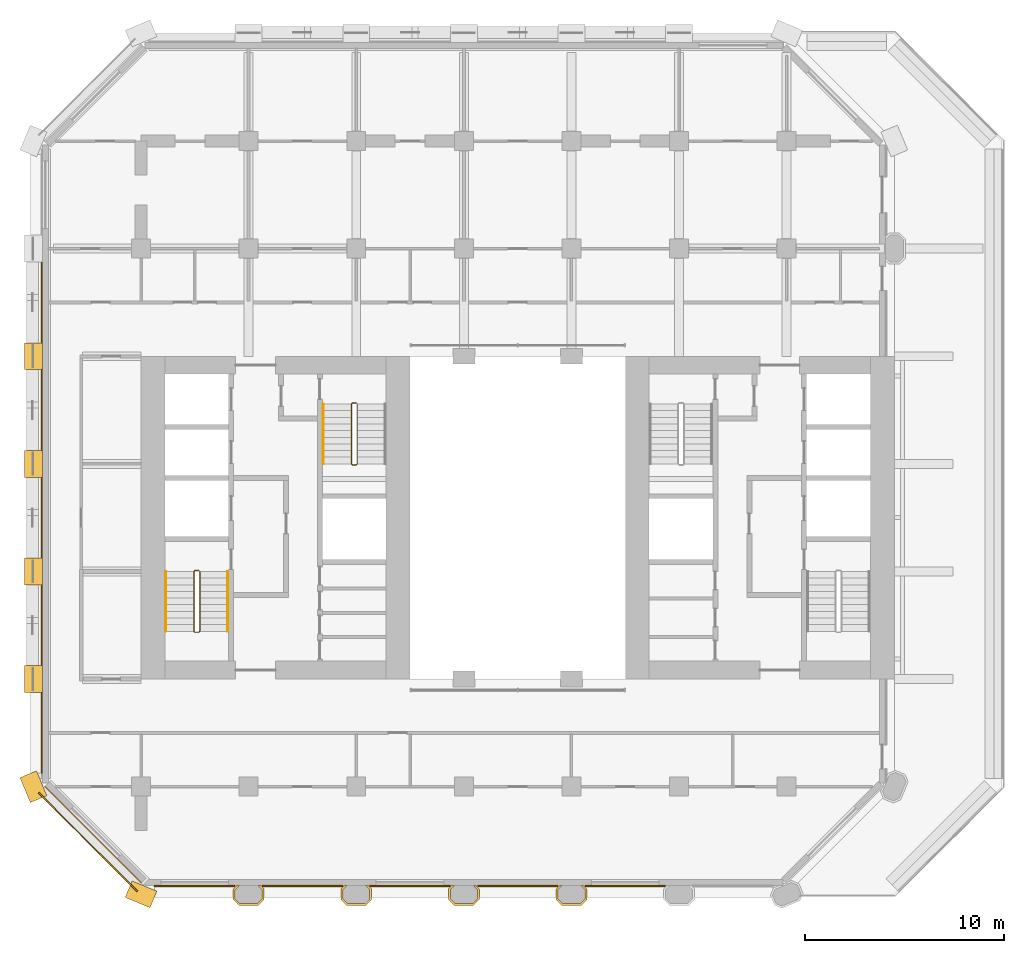
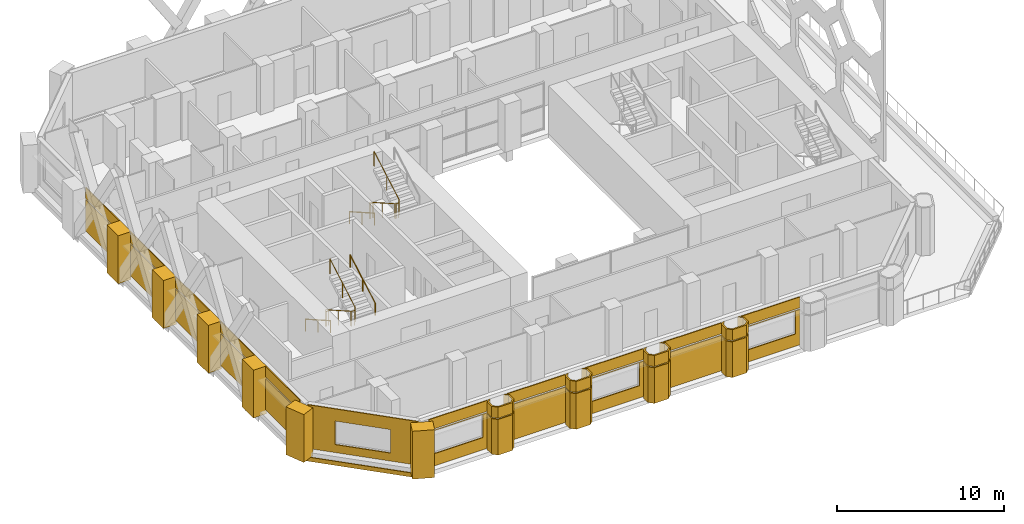
# One storey, part 12 of 14: 36 coverings, 5 railings.
"""IFC4 building model written with IfcOpenShell, lengths in metres."""

from ifc_helpers import new_model, si_unit, direction, frame, frame_2d, origin, origin_2d, place, context, subcontext, project, spatial, polyline, rectangle, circle, outline, extrude, material, layer, layer_set, type_object, element, save


model = new_model("IFC4")

# Units and contexts
model_context = context("Model", 3, precision=1e-05, world=origin(), true_north=direction((0.0, 1.0)))
body_context = subcontext(model_context, "Body", "Model", "MODEL_VIEW")
ifc_project = project(units=[si_unit("LENGTHUNIT", "METRE"), si_unit("AREAUNIT", "SQUARE_METRE"), si_unit("VOLUMEUNIT", "CUBIC_METRE"), si_unit("PLANEANGLEUNIT", "RADIAN"), si_unit("MASSUNIT", "GRAM", prefix="KILO")], contexts=[model_context])

# Site, building, storey
site_placement = place(None, origin())
site = spatial("IfcSite", under=ifc_project, at=site_placement, CompositionType="ELEMENT")
building_placement = place(site_placement, origin())
building = spatial("IfcBuilding", under=site, at=building_placement, Name="Tabaq Tower and Sports Hall", CompositionType="ELEMENT")
storey_placement = place(building_placement, frame((0.0, 0.0, 95.39990234375)))
storey = spatial("IfcBuildingStorey", under=building, at=storey_placement, Name="L22", CompositionType="ELEMENT", Elevation=95.39990234375)

# Coverings
ifc_material_1 = material(Name="Precast concrete C60/75", Category="concrete")
ifc_layer_1 = layer(ifc_material_1, 0.10009765625)
ifc_layer_set_1 = layer_set([ifc_layer_1], Name="Column cladding 100")
covering_type_1 = type_object("IfcCoveringType", Name="Column cladding 100", PredefinedType="CLADDING", material=ifc_layer_set_1)
covering_1_placement = place(storey_placement, origin())
element("IfcCovering", 1, at=covering_1_placement, inside=storey, type_object=covering_type_1, Name="Column cladding L22 PC-3B-O3", PredefinedType="CLADDING", context=body_context, shape_type="SweptSolid", body=[
    extrude(outline(polyline([(10.025390625, 5.666259765625), (10.208740234375, 5.849609375), (10.349365234375, 5.849609375), (10.124755859375, 5.625244140625), (10.124755859375, 5.1748046875), (10.349853515625, 4.94970703125), (11.250244140625, 4.94970703125), (11.475341796875, 5.1748046875), (11.475341796875, 5.625244140625), (11.250732421875, 5.849609375), (11.391357421875, 5.849609375), (11.57470703125, 5.666259765625), (11.57470703125, 5.1337890625), (11.291259765625, 4.850341796875), (10.30859375, 4.850341796875), (10.025390625, 5.1337890625), (10.025390625, 5.666259765625)])), origin(), (0.0, 0.0, 1.0), 2.60009765625),
])
covering_2_placement = place(storey_placement, frame((0.0, 0.0, 2.7001953125)))
element("IfcCovering", 2, at=covering_2_placement, inside=storey, type_object=covering_type_1, Name="Column cladding L22 PC-3B-O3 2", PredefinedType="CLADDING", context=body_context, shape_type="SweptSolid", body=[
    extrude(outline(polyline([(10.025390625, 5.666259765625), (10.208740234375, 5.849609375), (10.349365234375, 5.849609375), (10.124755859375, 5.625244140625), (10.124755859375, 5.1748046875), (10.349853515625, 4.94970703125), (11.250244140625, 4.94970703125), (11.475341796875, 5.1748046875), (11.475341796875, 5.625244140625), (11.250732421875, 5.849609375), (11.391357421875, 5.849609375), (11.57470703125, 5.666259765625), (11.57470703125, 5.1337890625), (11.291259765625, 4.850341796875), (10.30859375, 4.850341796875), (10.025390625, 5.1337890625), (10.025390625, 5.666259765625)])), origin(), (0.0, 0.0, 1.0), 0.7998046875),
])
covering_3_placement = place(storey_placement, origin())
element("IfcCovering", 3, at=covering_3_placement, inside=storey, type_object=covering_type_1, Name="Column cladding L22 PC-4B-O3", PredefinedType="CLADDING", context=body_context, shape_type="SweptSolid", body=[
    extrude(outline(polyline([(15.42529296875, 5.666259765625), (15.608642578125, 5.849609375), (15.749267578125, 5.849609375), (15.524658203125, 5.625244140625), (15.524658203125, 5.1748046875), (15.749755859375, 4.94970703125), (16.650146484375, 4.94970703125), (16.875244140625, 5.1748046875), (16.875244140625, 5.625244140625), (16.650634765625, 5.849609375), (16.791259765625, 5.849609375), (16.974609375, 5.666259765625), (16.974609375, 5.1337890625), (16.69140625, 4.850341796875), (15.708740234375, 4.850341796875), (15.42529296875, 5.1337890625), (15.42529296875, 5.666259765625)])), origin(), (0.0, 0.0, 1.0), 2.60009765625),
])
covering_4_placement = place(storey_placement, frame((0.0, 0.0, 2.7001953125)))
element("IfcCovering", 4, at=covering_4_placement, inside=storey, type_object=covering_type_1, Name="Column cladding L22 PC-4B-O3 2", PredefinedType="CLADDING", context=body_context, shape_type="SweptSolid", body=[
    extrude(outline(polyline([(15.42529296875, 5.666259765625), (15.608642578125, 5.849609375), (15.749267578125, 5.849609375), (15.524658203125, 5.625244140625), (15.524658203125, 5.1748046875), (15.749755859375, 4.94970703125), (16.650146484375, 4.94970703125), (16.875244140625, 5.1748046875), (16.875244140625, 5.625244140625), (16.650634765625, 5.849609375), (16.791259765625, 5.849609375), (16.974609375, 5.666259765625), (16.974609375, 5.1337890625), (16.69140625, 4.850341796875), (15.708740234375, 4.850341796875), (15.42529296875, 5.1337890625), (15.42529296875, 5.666259765625)])), origin(), (0.0, 0.0, 1.0), 0.7998046875),
])
covering_5_placement = place(storey_placement, origin())
element("IfcCovering", 5, at=covering_5_placement, inside=storey, type_object=covering_type_1, Name="Column cladding L22 PC-5B-O3", PredefinedType="CLADDING", context=body_context, shape_type="SweptSolid", body=[
    extrude(outline(polyline([(20.8251953125, 5.666259765625), (21.0087890625, 5.849609375), (21.149169921875, 5.849609375), (20.9248046875, 5.625244140625), (20.9248046875, 5.1748046875), (21.14990234375, 4.94970703125), (22.050048828125, 4.94970703125), (22.275390625, 5.1748046875), (22.275390625, 5.625244140625), (22.05078125, 5.849609375), (22.19140625, 5.849609375), (22.374755859375, 5.666259765625), (22.374755859375, 5.1337890625), (22.09130859375, 4.850341796875), (21.108642578125, 4.850341796875), (20.8251953125, 5.1337890625), (20.8251953125, 5.666259765625)])), origin(), (0.0, 0.0, 1.0), 2.60009765625),
])
covering_6_placement = place(storey_placement, frame((0.0, 0.0, 2.7001953125)))
element("IfcCovering", 6, at=covering_6_placement, inside=storey, type_object=covering_type_1, Name="Column cladding L22 PC-5B-O3 2", PredefinedType="CLADDING", context=body_context, shape_type="SweptSolid", body=[
    extrude(outline(polyline([(20.8251953125, 5.666259765625), (21.0087890625, 5.849609375), (21.149169921875, 5.849609375), (20.9248046875, 5.625244140625), (20.9248046875, 5.1748046875), (21.14990234375, 4.94970703125), (22.050048828125, 4.94970703125), (22.275390625, 5.1748046875), (22.275390625, 5.625244140625), (22.05078125, 5.849609375), (22.19140625, 5.849609375), (22.374755859375, 5.666259765625), (22.374755859375, 5.1337890625), (22.09130859375, 4.850341796875), (21.108642578125, 4.850341796875), (20.8251953125, 5.1337890625), (20.8251953125, 5.666259765625)])), origin(), (0.0, 0.0, 1.0), 0.7998046875),
])
covering_7_placement = place(storey_placement, origin())
element("IfcCovering", 7, at=covering_7_placement, inside=storey, type_object=covering_type_1, Name="Column cladding L22 PC-6B-O3", PredefinedType="CLADDING", context=body_context, shape_type="SweptSolid", body=[
    extrude(outline(polyline([(26.225341796875, 5.666259765625), (26.40869140625, 5.849609375), (26.54931640625, 5.849609375), (26.32470703125, 5.625244140625), (26.32470703125, 5.1748046875), (26.5498046875, 4.94970703125), (27.4501953125, 4.94970703125), (27.67529296875, 5.1748046875), (27.67529296875, 5.625244140625), (27.45068359375, 5.849609375), (27.59130859375, 5.849609375), (27.774658203125, 5.666259765625), (27.774658203125, 5.1337890625), (27.4912109375, 4.850341796875), (26.5087890625, 4.850341796875), (26.225341796875, 5.1337890625), (26.225341796875, 5.666259765625)])), origin(), (0.0, 0.0, 1.0), 2.60009765625),
])
covering_8_placement = place(storey_placement, frame((0.0, 0.0, 2.7001953125)))
element("IfcCovering", 8, at=covering_8_placement, inside=storey, type_object=covering_type_1, Name="Column cladding L22 PC-6B-O3 2", PredefinedType="CLADDING", context=body_context, shape_type="SweptSolid", body=[
    extrude(outline(polyline([(26.225341796875, 5.666259765625), (26.40869140625, 5.849609375), (26.54931640625, 5.849609375), (26.32470703125, 5.625244140625), (26.32470703125, 5.1748046875), (26.5498046875, 4.94970703125), (27.4501953125, 4.94970703125), (27.67529296875, 5.1748046875), (27.67529296875, 5.625244140625), (27.45068359375, 5.849609375), (27.59130859375, 5.849609375), (27.774658203125, 5.666259765625), (27.774658203125, 5.1337890625), (27.4912109375, 4.850341796875), (26.5087890625, 4.850341796875), (26.225341796875, 5.1337890625), (26.225341796875, 5.666259765625)])), origin(), (0.0, 0.0, 1.0), 0.7998046875),
])
ifc_material_2 = material(Name="Precast concrete C60/75", Category="concrete")
ifc_layer_2 = layer(ifc_material_2, 0.06005859375)
ifc_layer_set_2 = layer_set([ifc_layer_2], Name="Edge beam cladding 60")
covering_type_2 = type_object("IfcCoveringType", Name="Edge beam cladding 60", PredefinedType="CLADDING", material=ifc_layer_set_2)
covering_9_placement = place(storey_placement, frame((0.26318359375, 10.494384765625, -0.2998046875), z_axis=(0.0, 0.0, 1.0), x_axis=(0.707106781187, -0.707106781187, 0.0)))
element("IfcCovering", 9, at=covering_9_placement, inside=storey, type_object=covering_type_2, Name="Edge beam cladding L22 4", PredefinedType="CLADDING", context=body_context, shape_type="SweptSolid", body=[
    extrude(rectangle(XDim=6.984375, YDim=0.06005859375, at=frame_2d((3.4921875, 0.0))), origin(), (0.0, 0.0, 1.0), 0.2998046875),
])
ifc_material_3 = material(Name="White precast concrete C60/75", Category="concrete")
covering_type_3 = type_object("IfcCoveringType", Name="Pier cladding hung 1350x900", PredefinedType="CLADDING", material=ifc_material_3)
for number, where, z_axis, x_axis, name in (
    (10, (-0.25830078125, 11.423583984375, 0.0), (0.0, 0.0, 1.0), (0.382649923473, -0.923893411637, 0.0), "Hung pier cladding 0/2"),
    (11, (0.0, 16.875, 0.0), (0.0, 0.0, 1.0), (0.0, -1.0, 0.0), "Hung pier cladding 0/3"),
):
    element("IfcCovering", number, at=place(storey_placement, frame(where, z_axis=z_axis, x_axis=x_axis)), inside=storey, type_object=covering_type_3, Name=name, PredefinedType="CLADDING", context=body_context, shape_type="SweptSolid", body=[
        extrude(rectangle(XDim=1.35009765625, YDim=0.89990234375, at=frame_2d((0.675048828125, 0.0))), origin(), (0.0, 0.0, 1.0), 3.5),
    ])
covering_10_placement = place(storey_placement, frame((0.0, 22.27490234375, 0.0), z_axis=(0.0, 0.0, 1.0), x_axis=(0.0, -1.0, 0.0)))
element("IfcCovering", 12, at=covering_10_placement, inside=storey, type_object=covering_type_3, Name="Hung pier cladding 0/4", PredefinedType="CLADDING", context=body_context, shape_type="SweptSolid", body=[
    extrude(rectangle(XDim=1.349853515625, YDim=0.89990234375, at=frame_2d((0.6748046875, 0.0))), origin(), (0.0, 0.0, 1.0), 3.5),
])
covering_11_placement = place(storey_placement, frame((0.0, 27.675048828125, 0.0), z_axis=(0.0, 0.0, 1.0), x_axis=(0.0, -1.0, 0.0)))
element("IfcCovering", 13, at=covering_11_placement, inside=storey, type_object=covering_type_3, Name="Hung pier cladding 0/5", PredefinedType="CLADDING", context=body_context, shape_type="SweptSolid", body=[
    extrude(rectangle(XDim=1.35009765625, YDim=0.89990234375, at=frame_2d((0.675048828125, 0.0))), origin(), (0.0, 0.0, 1.0), 3.5),
])
covering_12_placement = place(storey_placement, frame((0.0, 33.074951171875, 0.0), z_axis=(0.0, 0.0, 1.0), x_axis=(0.0, -1.0, 0.0)))
element("IfcCovering", 14, at=covering_12_placement, inside=storey, type_object=covering_type_3, Name="Hung pier cladding 0/6", PredefinedType="CLADDING", context=body_context, shape_type="SweptSolid", body=[
    extrude(rectangle(XDim=1.349853515625, YDim=0.89990234375, at=frame_2d((0.6748046875, 0.0))), origin(), (0.0, 0.0, 1.0), 3.5),
])
covering_13_placement = place(storey_placement, frame((4.7763671875, 5.658203125, 0.0), z_axis=(0.0, 0.0, 1.0), x_axis=(0.923893411637, -0.382649923473, 0.0)))
element("IfcCovering", 15, at=covering_13_placement, inside=storey, type_object=covering_type_3, Name="Hung pier cladding 1/1", PredefinedType="CLADDING", context=body_context, shape_type="SweptSolid", body=[
    extrude(rectangle(XDim=1.35009765625, YDim=0.89990234375, at=frame_2d((0.675048828125, 0.0))), origin(), (0.0, 0.0, 1.0), 3.5),
])

# Railings
ifc_material_4 = material(Name="Stainless steel", Category="steel")
railing_type_1 = type_object("IfcRailingType", Name="Stair guard", PredefinedType="GUARDRAIL", material=ifc_material_4)
railing_1_placement = place(storey_placement, frame((8.300048828125, 21.64990234375, 0.0)))
element("IfcRailing", 16, at=railing_1_placement, inside=storey, type_object=railing_type_1, Name="L22 ST1 stair guard 1", PredefinedType="GUARDRAIL", context=body_context, shape_type="SweptSolid", body=[
    extrude(circle(Radius=0.02392578125, at=origin_2d()), frame((0.0, 0.0, 1.076171875), z_axis=(-1.0, 0.0, 0.0), x_axis=(0.0, -1.0, 0.0)), (0.0, 0.0, 1.0), 0.199951171875),
    extrude(circle(Radius=0.02392578125, at=origin_2d()), frame((-0.199951171875, 0.0, 1.076171875), z_axis=(-0.246704845944, -0.245501407671, 0.937478414588), x_axis=(0.705375805398, -0.708833529934, 0.0)), (0.0, 0.0, 1.0), 0.202880859375),
    extrude(circle(Radius=0.02392578125, at=origin_2d()), frame((-0.25, -0.0498046875, 1.26611328125), z_axis=(0.0, -0.868782136927, 0.495194505781), x_axis=(1.0, 0.0, 0.0)), (0.0, 0.0, 1.0), 3.453125),
    extrude(circle(Radius=0.02392578125, at=origin_2d()), frame((-0.25, -3.0498046875, 2.97607421875), z_axis=(0.707106781187, -0.707106781187, 0.0), x_axis=(0.707106781187, 0.707106781187, 0.0)), (0.0, 0.0, 1.0), 0.07080078125),
    extrude(circle(Radius=0.02392578125, at=origin_2d()), frame((-0.199951171875, -3.099853515625, 2.97607421875), z_axis=(1.0, 0.0, 0.0), x_axis=(0.0, 1.0, 0.0)), (0.0, 0.0, 1.0), 0.199951171875),
    extrude(circle(Radius=0.02392578125, at=origin_2d()), frame((0.0, -3.099853515625, 2.97607421875), z_axis=(0.246910188598, 0.246910188598, 0.937054276727), x_axis=(-0.707106781187, 0.707106781187, 0.0)), (0.0, 0.0, 1.0), 0.20263671875),
    extrude(circle(Radius=0.02392578125, at=origin_2d()), frame((0.050048828125, -3.0498046875, 3.166015625), z_axis=(0.0, 0.868782136927, 0.495194505781), x_axis=(-1.0, 0.0, 0.0)), (0.0, 0.0, 1.0), 3.453125),
    extrude(circle(Radius=0.02099609375, at=origin_2d()), origin(), (0.0, 0.0, 1.0), 1.052001953125),
    extrude(circle(Radius=0.02099609375, at=origin_2d()), frame((-0.199951171875, 0.0, 0.0)), (0.0, 0.0, 1.0), 1.052001953125),
    extrude(circle(Radius=0.02099609375, at=origin_2d()), frame((-0.25, -0.0498046875, 0.190185546875)), (0.0, 0.0, 1.0), 1.052001953125),
    extrude(circle(Radius=0.02099609375, at=origin_2d()), frame((-0.25, -1.5498046875, 1.045166015625)), (0.0, 0.0, 1.0), 1.052001953125),
    extrude(circle(Radius=0.02099609375, at=origin_2d()), frame((-0.25, -3.0498046875, 1.900146484375)), (0.0, 0.0, 1.0), 1.052001953125),
    extrude(circle(Radius=0.02099609375, at=origin_2d()), frame((-0.199951171875, -3.099853515625, 1.900146484375)), (0.0, 0.0, 1.0), 1.052001953125),
    extrude(circle(Radius=0.02099609375, at=origin_2d()), frame((0.0, -3.099853515625, 1.900146484375)), (0.0, 0.0, 1.0), 1.052001953125),
    extrude(circle(Radius=0.02099609375, at=origin_2d()), frame((0.050048828125, -3.0498046875, 2.090087890625)), (0.0, 0.0, 1.0), 1.052001953125),
    extrude(circle(Radius=0.02099609375, at=origin_2d()), frame((0.050048828125, -1.5498046875, 2.945068359375)), (0.0, 0.0, 1.0), 1.052001953125),
    extrude(circle(Radius=0.02099609375, at=origin_2d()), frame((0.050048828125, -0.0498046875, 3.800048828125)), (0.0, 0.0, 1.0), 1.052001953125),
])
railing_2_placement = place(storey_placement, frame((16.199951171875, 30.050048828125, 0.0)))
element("IfcRailing", 17, at=railing_2_placement, inside=storey, type_object=railing_type_1, Name="L22 ST2 stair guard 1", PredefinedType="GUARDRAIL", context=body_context, shape_type="SweptSolid", body=[
    extrude(circle(Radius=0.02392578125, at=origin_2d()), frame((0.0, 0.0, 1.076171875), z_axis=(-1.0, 0.0, 0.0), x_axis=(0.0, -1.0, 0.0)), (0.0, 0.0, 1.0), 0.199951171875),
    extrude(circle(Radius=0.02392578125, at=origin_2d()), frame((-0.199951171875, 0.0, 1.076171875), z_axis=(-0.246631811833, -0.246631811833, 0.937200884967), x_axis=(0.707106781187, -0.707106781187, 0.0)), (0.0, 0.0, 1.0), 0.202880859375),
    extrude(circle(Radius=0.02392578125, at=origin_2d()), frame((-0.25, -0.050048828125, 1.26611328125), z_axis=(0.0, -0.868782136927, 0.495194505781), x_axis=(1.0, 0.0, 0.0)), (0.0, 0.0, 1.0), 3.453125),
    extrude(circle(Radius=0.02392578125, at=origin_2d()), frame((-0.25, -3.050048828125, 2.97607421875), z_axis=(0.707106781187, -0.707106781187, 0.0), x_axis=(0.707106781187, 0.707106781187, 0.0)), (0.0, 0.0, 1.0), 0.07080078125),
    extrude(circle(Radius=0.02392578125, at=origin_2d()), frame((-0.199951171875, -3.10009765625, 2.97607421875), z_axis=(1.0, 0.0, 0.0), x_axis=(0.0, 1.0, 0.0)), (0.0, 0.0, 1.0), 0.199951171875),
    extrude(circle(Radius=0.02392578125, at=origin_2d()), frame((0.0, -3.10009765625, 2.97607421875), z_axis=(0.246910188598, 0.246910188598, 0.937054276727), x_axis=(-0.707106781187, 0.707106781187, 0.0)), (0.0, 0.0, 1.0), 0.20263671875),
    extrude(circle(Radius=0.02392578125, at=origin_2d()), frame((0.050048828125, -3.050048828125, 3.166015625), z_axis=(0.0, 0.868782136927, 0.495194505781), x_axis=(-1.0, 0.0, 0.0)), (0.0, 0.0, 1.0), 3.453125),
    extrude(circle(Radius=0.02099609375, at=origin_2d()), origin(), (0.0, 0.0, 1.0), 1.052001953125),
    extrude(circle(Radius=0.02099609375, at=origin_2d()), frame((-0.199951171875, 0.0, 0.0)), (0.0, 0.0, 1.0), 1.052001953125),
    extrude(circle(Radius=0.02099609375, at=origin_2d()), frame((-0.25, -0.050048828125, 0.190185546875)), (0.0, 0.0, 1.0), 1.052001953125),
    extrude(circle(Radius=0.02099609375, at=origin_2d()), frame((-0.25, -1.550048828125, 1.045166015625)), (0.0, 0.0, 1.0), 1.052001953125),
    extrude(circle(Radius=0.02099609375, at=origin_2d()), frame((-0.25, -3.050048828125, 1.900146484375)), (0.0, 0.0, 1.0), 1.052001953125),
    extrude(circle(Radius=0.02099609375, at=origin_2d()), frame((-0.199951171875, -3.10009765625, 1.900146484375)), (0.0, 0.0, 1.0), 1.052001953125),
    extrude(circle(Radius=0.02099609375, at=origin_2d()), frame((0.0, -3.10009765625, 1.900146484375)), (0.0, 0.0, 1.0), 1.052001953125),
    extrude(circle(Radius=0.02099609375, at=origin_2d()), frame((0.050048828125, -3.050048828125, 2.090087890625)), (0.0, 0.0, 1.0), 1.052001953125),
    extrude(circle(Radius=0.02099609375, at=origin_2d()), frame((0.050048828125, -1.550048828125, 2.945068359375)), (0.0, 0.0, 1.0), 1.052001953125),
    extrude(circle(Radius=0.02099609375, at=origin_2d()), frame((0.050048828125, -0.050048828125, 3.800048828125)), (0.0, 0.0, 1.0), 1.052001953125),
])
ifc_material_5 = material(Name="Stainless steel", Category="steel")
railing_type_2 = type_object("IfcRailingType", Name="Stair handrail", PredefinedType="HANDRAIL", material=ifc_material_5)
railing_3_placement = place(storey_placement, frame((6.64990234375, 21.60009765625, 0.190185546875)))
element("IfcRailing", 18, at=railing_3_placement, inside=storey, type_object=railing_type_2, Name="L22 ST1 stair handrail 1", PredefinedType="HANDRAIL", context=body_context, shape_type="SweptSolid", body=[
    extrude(circle(Radius=0.02392578125, at=origin_2d()), frame((0.0, 0.0, 0.8759765625), z_axis=(0.0, -0.868782136927, 0.495194505781), x_axis=(1.0, 0.0, 0.0)), (0.0, 0.0, 1.0), 3.453125),
    extrude(circle(Radius=0.02099609375, at=origin_2d()), origin(), (0.0, 0.0, 1.0), 0.851806640625),
    extrude(circle(Radius=0.02099609375, at=origin_2d()), frame((0.0, -1.5, 0.85498046875)), (0.0, 0.0, 1.0), 0.851806640625),
    extrude(circle(Radius=0.02099609375, at=origin_2d()), frame((0.0, -3.0, 1.7099609375)), (0.0, 0.0, 1.0), 0.851806640625),
])
railing_4_placement = place(storey_placement, frame((9.75, 18.60009765625, 2.090087890625)))
element("IfcRailing", 19, at=railing_4_placement, inside=storey, type_object=railing_type_2, Name="L22 ST1 stair handrail 2", PredefinedType="HANDRAIL", context=body_context, shape_type="SweptSolid", body=[
    extrude(circle(Radius=0.02392578125, at=origin_2d()), frame((0.0, 0.0, 0.8759765625), z_axis=(0.0, 0.868782136927, 0.495194505781), x_axis=(-1.0, 0.0, 0.0)), (0.0, 0.0, 1.0), 3.453125),
    extrude(circle(Radius=0.02099609375, at=origin_2d()), origin(), (0.0, 0.0, 1.0), 0.851806640625),
    extrude(circle(Radius=0.02099609375, at=origin_2d()), frame((0.0, 1.5, 0.85498046875)), (0.0, 0.0, 1.0), 0.851806640625),
    extrude(circle(Radius=0.02099609375, at=origin_2d()), frame((0.0, 3.0, 1.7099609375)), (0.0, 0.0, 1.0), 0.851806640625),
])
railing_5_placement = place(storey_placement, frame((14.550048828125, 30.0, 0.190185546875)))
element("IfcRailing", 20, at=railing_5_placement, inside=storey, type_object=railing_type_2, Name="L22 ST2 stair handrail 1", PredefinedType="HANDRAIL", context=body_context, shape_type="SweptSolid", body=[
    extrude(circle(Radius=0.02392578125, at=origin_2d()), frame((0.0, 0.0, 0.8759765625), z_axis=(0.0, -0.868782136927, 0.495194505781), x_axis=(1.0, 0.0, 0.0)), (0.0, 0.0, 1.0), 3.453125),
    extrude(circle(Radius=0.02099609375, at=origin_2d()), origin(), (0.0, 0.0, 1.0), 0.851806640625),
    extrude(circle(Radius=0.02099609375, at=origin_2d()), frame((0.0, -1.5, 0.85498046875)), (0.0, 0.0, 1.0), 0.851806640625),
    extrude(circle(Radius=0.02099609375, at=origin_2d()), frame((0.0, -3.0, 1.7099609375)), (0.0, 0.0, 1.0), 0.851806640625),
])

# Coverings
ifc_material_6 = material(Name="Precast concrete C60/75", Category="concrete")
ifc_layer_3 = layer(ifc_material_6, 0.06005859375)
ifc_layer_set_3 = layer_set([ifc_layer_3], Name="White precast cladding panel 60 C60/75")
covering_type_4 = type_object("IfcCoveringType", Name="White precast cladding panel 60 C60/75", PredefinedType="CLADDING", material=ifc_layer_set_3)
covering_14_placement = place(storey_placement, frame((6.06494140625, 5.820068359375, 0.0), z_axis=(0.0, 0.0, 1.0), x_axis=(1.0, 0.0, 0.0)))
element("IfcCovering", 21, at=covering_14_placement, inside=storey, type_object=covering_type_4, Name="White precast cladding panel L22 wall00", PredefinedType="CLADDING", context=body_context, shape_type="SweptSolid", body=[
    extrude(outline(polyline([(0.0, 0.0), (4.050048828125, 0.0), (4.050048828125, 2.590087890625), (0.0, 2.590087890625), (0.0, 0.0)]), holes=[polyline([(3.7451171875, 0.89013671875), (0.324951171875, 0.89013671875), (0.324951171875, 2.56005859375), (3.7451171875, 2.56005859375), (3.7451171875, 0.89013671875)])]), frame((0.0, 0.030029296875, 0.0), z_axis=(0.0, -1.0, 0.0), x_axis=(1.0, 0.0, 0.0)), (0.0, 0.0, 1.0), 0.06005859375),
])
covering_15_placement = place(storey_placement, frame((6.06494140625, 5.820068359375, 2.710205078125), z_axis=(0.0, 0.0, 1.0), x_axis=(1.0, 0.0, 0.0)))
element("IfcCovering", 22, at=covering_15_placement, inside=storey, type_object=covering_type_4, Name="White precast cladding panel L22 wall00 2", PredefinedType="CLADDING", context=body_context, shape_type="SweptSolid", body=[
    extrude(rectangle(XDim=4.050048828125, YDim=0.06005859375, at=frame_2d((2.02490234375, 0.0))), origin(), (0.0, 0.0, 1.0), 0.789794921875),
])
covering_16_placement = place(storey_placement, frame((11.485107421875, 5.820068359375, 0.0), z_axis=(0.0, 0.0, 1.0), x_axis=(1.0, 0.0, 0.0)))
element("IfcCovering", 23, at=covering_16_placement, inside=storey, type_object=covering_type_4, Name="White precast cladding panel L22 wall00 3", PredefinedType="CLADDING", context=body_context, shape_type="SweptSolid", body=[
    extrude(rectangle(XDim=4.02978515625, YDim=0.06005859375, at=frame_2d((2.014892578125, 0.0))), origin(), (0.0, 0.0, 1.0), 2.590087890625),
])
covering_17_placement = place(storey_placement, frame((11.485107421875, 5.820068359375, 2.710205078125), z_axis=(0.0, 0.0, 1.0), x_axis=(1.0, 0.0, 0.0)))
element("IfcCovering", 24, at=covering_17_placement, inside=storey, type_object=covering_type_4, Name="White precast cladding panel L22 wall00 4", PredefinedType="CLADDING", context=body_context, shape_type="SweptSolid", body=[
    extrude(rectangle(XDim=4.02978515625, YDim=0.06005859375, at=frame_2d((2.014892578125, 0.0))), origin(), (0.0, 0.0, 1.0), 0.789794921875),
])
covering_18_placement = place(storey_placement, frame((16.885009765625, 5.820068359375, 0.0), z_axis=(0.0, 0.0, 1.0), x_axis=(1.0, 0.0, 0.0)))
element("IfcCovering", 25, at=covering_18_placement, inside=storey, type_object=covering_type_4, Name="White precast cladding panel L22 wall00 5", PredefinedType="CLADDING", context=body_context, shape_type="SweptSolid", body=[
    extrude(outline(polyline([(0.0, 0.0), (4.030029296875, 0.0), (4.030029296875, 2.590087890625), (0.0, 2.590087890625), (0.0, 0.0)]), holes=[polyline([(3.72509765625, 0.89013671875), (0.304931640625, 0.89013671875), (0.304931640625, 2.56005859375), (3.72509765625, 2.56005859375), (3.72509765625, 0.89013671875)])]), frame((0.0, 0.030029296875, 0.0), z_axis=(0.0, -1.0, 0.0), x_axis=(1.0, 0.0, 0.0)), (0.0, 0.0, 1.0), 0.06005859375),
])
covering_19_placement = place(storey_placement, frame((16.885009765625, 5.820068359375, 2.710205078125), z_axis=(0.0, 0.0, 1.0), x_axis=(1.0, 0.0, 0.0)))
element("IfcCovering", 26, at=covering_19_placement, inside=storey, type_object=covering_type_4, Name="White precast cladding panel L22 wall00 6", PredefinedType="CLADDING", context=body_context, shape_type="SweptSolid", body=[
    extrude(rectangle(XDim=4.030029296875, YDim=0.06005859375, at=frame_2d((2.01513671875, 0.0))), origin(), (0.0, 0.0, 1.0), 0.789794921875),
])
covering_20_placement = place(storey_placement, frame((22.284912109375, 5.820068359375, 0.0), z_axis=(0.0, 0.0, 1.0), x_axis=(1.0, 0.0, 0.0)))
element("IfcCovering", 27, at=covering_20_placement, inside=storey, type_object=covering_type_4, Name="White precast cladding panel L22 wall00 7", PredefinedType="CLADDING", context=body_context, shape_type="SweptSolid", body=[
    extrude(rectangle(XDim=4.030029296875, YDim=0.06005859375, at=frame_2d((2.01513671875, 0.0))), origin(), (0.0, 0.0, 1.0), 2.590087890625),
])
covering_21_placement = place(storey_placement, frame((22.284912109375, 5.820068359375, 2.710205078125), z_axis=(0.0, 0.0, 1.0), x_axis=(1.0, 0.0, 0.0)))
element("IfcCovering", 28, at=covering_21_placement, inside=storey, type_object=covering_type_4, Name="White precast cladding panel L22 wall00 8", PredefinedType="CLADDING", context=body_context, shape_type="SweptSolid", body=[
    extrude(rectangle(XDim=4.030029296875, YDim=0.06005859375, at=frame_2d((2.01513671875, 0.0))), origin(), (0.0, 0.0, 1.0), 0.789794921875),
])
covering_22_placement = place(storey_placement, frame((27.68505859375, 5.820068359375, 0.0), z_axis=(0.0, 0.0, 1.0), x_axis=(1.0, 0.0, 0.0)))
element("IfcCovering", 29, at=covering_22_placement, inside=storey, type_object=covering_type_4, Name="White precast cladding panel L22 wall00 9", PredefinedType="CLADDING", context=body_context, shape_type="SweptSolid", body=[
    extrude(outline(polyline([(0.0, 0.0), (4.030029296875, 0.0), (4.030029296875, 2.590087890625), (0.0, 2.590087890625), (0.0, 0.0)]), holes=[polyline([(3.72509765625, 0.89013671875), (0.304931640625, 0.89013671875), (0.304931640625, 2.56005859375), (3.72509765625, 2.56005859375), (3.72509765625, 0.89013671875)])]), frame((0.0, 0.030029296875, 0.0), z_axis=(0.0, -1.0, 0.0), x_axis=(1.0, 0.0, 0.0)), (0.0, 0.0, 1.0), 0.06005859375),
])
covering_23_placement = place(storey_placement, frame((27.68505859375, 5.820068359375, 2.710205078125), z_axis=(0.0, 0.0, 1.0), x_axis=(1.0, 0.0, 0.0)))
element("IfcCovering", 30, at=covering_23_placement, inside=storey, type_object=covering_type_4, Name="White precast cladding panel L22 wall00 10", PredefinedType="CLADDING", context=body_context, shape_type="SweptSolid", body=[
    extrude(rectangle(XDim=4.030029296875, YDim=0.06005859375, at=frame_2d((2.01513671875, 0.0))), origin(), (0.0, 0.0, 1.0), 0.789794921875),
])
covering_24_placement = place(storey_placement, frame((0.419921875, 37.114990234375, 0.31005859375), z_axis=(0.0, 0.0, 1.0), x_axis=(0.0, -1.0, 0.0)))
element("IfcCovering", 31, at=covering_24_placement, inside=storey, type_object=covering_type_4, Name="White precast cladding panel L22 wall06 3", PredefinedType="CLADDING", context=body_context, shape_type="SweptSolid", body=[
    extrude(rectangle(XDim=4.030029296875, YDim=0.06005859375, at=frame_2d((2.01513671875, 0.0))), origin(), (0.0, 0.0, 1.0), 2.280029296875),
])
covering_25_placement = place(storey_placement, frame((0.419921875, 37.114990234375, 2.710205078125), z_axis=(0.0, 0.0, 1.0), x_axis=(0.0, -1.0, 0.0)))
element("IfcCovering", 32, at=covering_25_placement, inside=storey, type_object=covering_type_4, Name="White precast cladding panel L22 wall06 4", PredefinedType="CLADDING", context=body_context, shape_type="SweptSolid", body=[
    extrude(rectangle(XDim=4.030029296875, YDim=0.06005859375, at=frame_2d((2.01513671875, 0.0))), origin(), (0.0, 0.0, 1.0), 0.789794921875),
])
covering_26_placement = place(storey_placement, frame((0.419921875, 31.715087890625, 0.31005859375), z_axis=(0.0, 0.0, 1.0), x_axis=(0.0, -1.0, 0.0)))
element("IfcCovering", 33, at=covering_26_placement, inside=storey, type_object=covering_type_4, Name="White precast cladding panel L22 wall06 5", PredefinedType="CLADDING", context=body_context, shape_type="SweptSolid", body=[
    extrude(rectangle(XDim=4.030029296875, YDim=0.06005859375, at=frame_2d((2.01513671875, 0.0))), origin(), (0.0, 0.0, 1.0), 2.280029296875),
])
covering_27_placement = place(storey_placement, frame((0.419921875, 31.715087890625, 2.710205078125), z_axis=(0.0, 0.0, 1.0), x_axis=(0.0, -1.0, 0.0)))
element("IfcCovering", 34, at=covering_27_placement, inside=storey, type_object=covering_type_4, Name="White precast cladding panel L22 wall06 6", PredefinedType="CLADDING", context=body_context, shape_type="SweptSolid", body=[
    extrude(rectangle(XDim=4.030029296875, YDim=0.06005859375, at=frame_2d((2.01513671875, 0.0))), origin(), (0.0, 0.0, 1.0), 0.789794921875),
])
covering_28_placement = place(storey_placement, frame((0.419921875, 26.31494140625, 0.31005859375), z_axis=(0.0, 0.0, 1.0), x_axis=(0.0, -1.0, 0.0)))
element("IfcCovering", 35, at=covering_28_placement, inside=storey, type_object=covering_type_4, Name="White precast cladding panel L22 wall06 7", PredefinedType="CLADDING", context=body_context, shape_type="SweptSolid", body=[
    extrude(rectangle(XDim=4.030029296875, YDim=0.06005859375, at=frame_2d((2.01513671875, 0.0))), origin(), (0.0, 0.0, 1.0), 2.280029296875),
])
covering_29_placement = place(storey_placement, frame((0.419921875, 26.31494140625, 2.710205078125), z_axis=(0.0, 0.0, 1.0), x_axis=(0.0, -1.0, 0.0)))
element("IfcCovering", 36, at=covering_29_placement, inside=storey, type_object=covering_type_4, Name="White precast cladding panel L22 wall06 8", PredefinedType="CLADDING", context=body_context, shape_type="SweptSolid", body=[
    extrude(rectangle(XDim=4.030029296875, YDim=0.06005859375, at=frame_2d((2.01513671875, 0.0))), origin(), (0.0, 0.0, 1.0), 0.789794921875),
])
covering_30_placement = place(storey_placement, frame((0.419921875, 20.9150390625, 0.31005859375), z_axis=(0.0, 0.0, 1.0), x_axis=(0.0, -1.0, 0.0)))
element("IfcCovering", 37, at=covering_30_placement, inside=storey, type_object=covering_type_4, Name="White precast cladding panel L22 wall06 9", PredefinedType="CLADDING", context=body_context, shape_type="SweptSolid", body=[
    extrude(rectangle(XDim=4.030029296875, YDim=0.06005859375, at=frame_2d((2.01513671875, 0.0))), origin(), (0.0, 0.0, 1.0), 2.280029296875),
])
covering_31_placement = place(storey_placement, frame((0.419921875, 20.9150390625, 2.710205078125), z_axis=(0.0, 0.0, 1.0), x_axis=(0.0, -1.0, 0.0)))
element("IfcCovering", 38, at=covering_31_placement, inside=storey, type_object=covering_type_4, Name="White precast cladding panel L22 wall06 10", PredefinedType="CLADDING", context=body_context, shape_type="SweptSolid", body=[
    extrude(rectangle(XDim=4.030029296875, YDim=0.06005859375, at=frame_2d((2.01513671875, 0.0))), origin(), (0.0, 0.0, 1.0), 0.789794921875),
])
covering_32_placement = place(storey_placement, frame((0.419921875, 15.514892578125, 0.31005859375), z_axis=(0.0, 0.0, 1.0), x_axis=(0.0, -1.0, 0.0)))
element("IfcCovering", 39, at=covering_32_placement, inside=storey, type_object=covering_type_4, Name="White precast cladding panel L22 wall06 11", PredefinedType="CLADDING", context=body_context, shape_type="SweptSolid", body=[
    extrude(rectangle(XDim=4.0498046875, YDim=0.06005859375, at=frame_2d((2.02490234375, 0.0))), origin(), (0.0, 0.0, 1.0), 2.280029296875),
])
covering_33_placement = place(storey_placement, frame((0.419921875, 15.514892578125, 2.710205078125), z_axis=(0.0, 0.0, 1.0), x_axis=(0.0, -1.0, 0.0)))
element("IfcCovering", 40, at=covering_33_placement, inside=storey, type_object=covering_type_4, Name="White precast cladding panel L22 wall06 12", PredefinedType="CLADDING", context=body_context, shape_type="SweptSolid", body=[
    extrude(rectangle(XDim=4.0498046875, YDim=0.06005859375, at=frame_2d((2.02490234375, 0.0))), origin(), (0.0, 0.0, 1.0), 0.789794921875),
])
covering_34_placement = place(storey_placement, frame((0.57421875, 10.81982421875, 0.31005859375), z_axis=(0.0, 0.0, 1.0), x_axis=(0.707106781187, -0.707106781187, 0.0)))
element("IfcCovering", 41, at=covering_34_placement, inside=storey, type_object=covering_type_4, Name="White precast cladding panel L22 wall07", PredefinedType="CLADDING", context=body_context, shape_type="SweptSolid", body=[
    extrude(outline(polyline([(0.0, 0.0), (6.856201171875, 0.0), (6.856201171875, 3.18994140625), (0.0, 3.18994140625), (0.0, 0.0)]), holes=[polyline([(1.71630859375, 0.580078125), (1.71630859375, 2.300048828125), (5.13623046875, 2.300048828125), (5.13623046875, 0.580078125), (1.71630859375, 0.580078125)])]), frame((0.0, 0.030029296875, 0.0), z_axis=(0.0, -1.0, 0.0), x_axis=(1.0, 0.0, 0.0)), (0.0, 0.0, 1.0), 0.06005859375),
])

save(model, "model.ifc")
